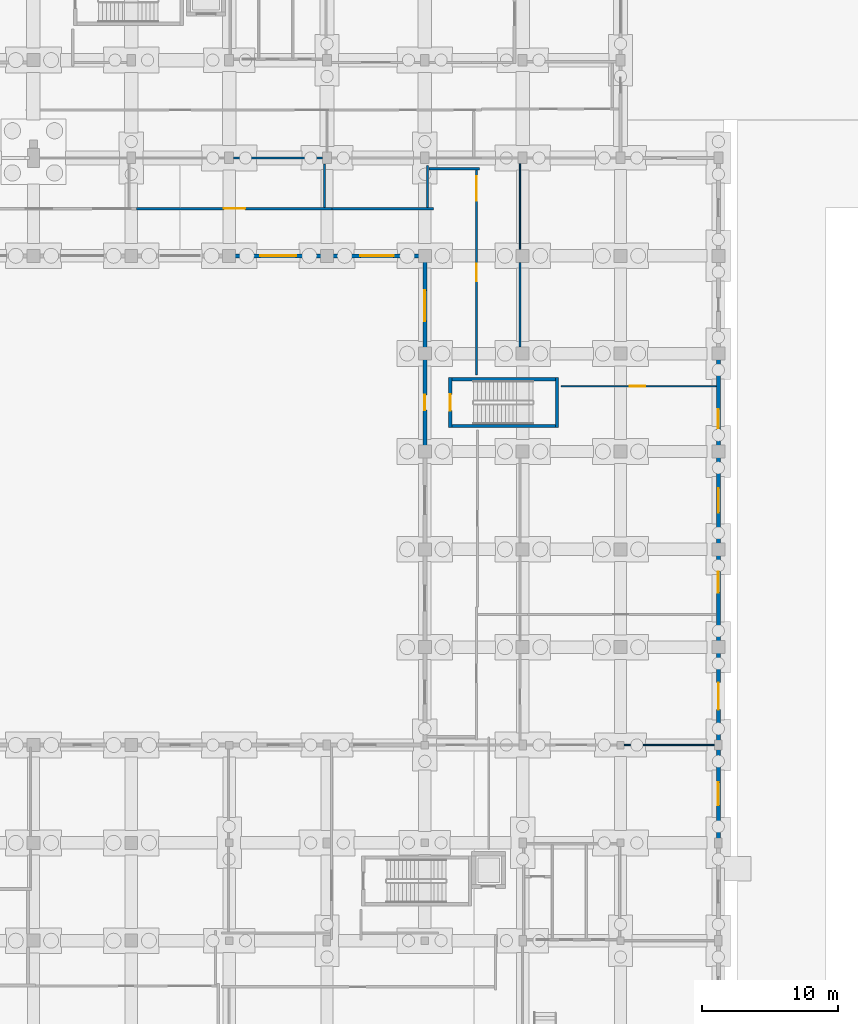
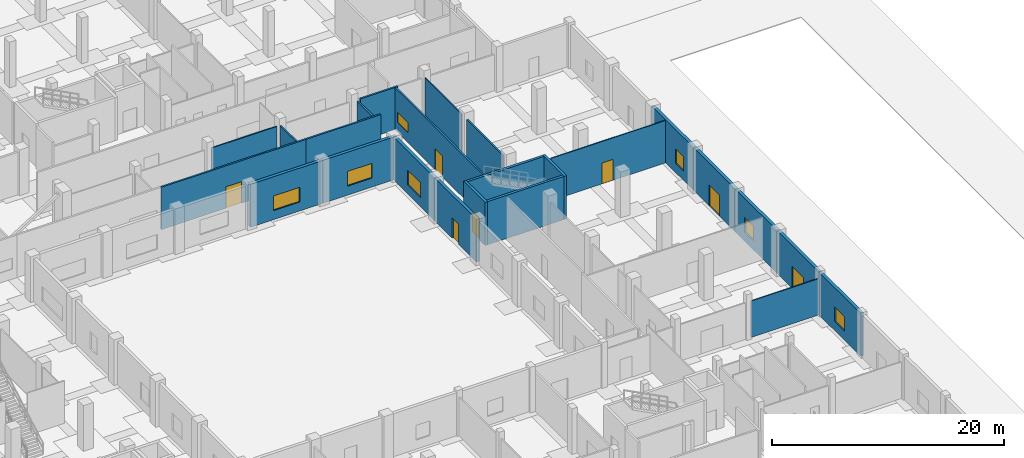
# One storey, part 33 of 48: 24 walls, 7 doors, 7 windows, 14 openings.
"""IFC4 building model written with IfcOpenShell, lengths in metres."""

from ifc_helpers import new_model, si_unit, direction, frame, frame_2d, origin, place, context, subcontext, project, spatial, rectangle, extrude, material, layer, layer_set, type_object, element, fill, save


model = new_model("IFC4")

# Units and contexts
model_context = context("Model", 3, precision=1e-05, world=origin(), true_north=direction((0.0, 1.0)))
body_context = subcontext(model_context, "Body", "Model", "MODEL_VIEW")
ifc_project = project(units=[si_unit("LENGTHUNIT", "METRE"), si_unit("AREAUNIT", "SQUARE_METRE"), si_unit("VOLUMEUNIT", "CUBIC_METRE"), si_unit("PLANEANGLEUNIT", "RADIAN"), si_unit("MASSUNIT", "GRAM", prefix="KILO")], contexts=[model_context])

# Site, building, storey
site_placement = place(None, origin())
site = spatial("IfcSite", under=ifc_project, at=site_placement, CompositionType="ELEMENT")
building_placement = place(site_placement, origin())
building = spatial("IfcBuilding", under=site, at=building_placement, Name="Seraya Terrace Polytechnic", CompositionType="ELEMENT")
storey_placement = place(building_placement, origin())
storey = spatial("IfcBuildingStorey", under=building, at=storey_placement, Name="L00", CompositionType="ELEMENT", Elevation=0.0)

# Wall, opening, window
ifc_material_1 = material(Name="Concrete C40/50", Category="concrete")
ifc_layer_1 = layer(ifc_material_1, 0.300048828125, Name="EW-01")
ifc_layer_set_1 = layer_set([ifc_layer_1], Name="Concrete C40/50")
wall_type_1 = type_object("IfcWallType", Name="EW-01", PredefinedType="SOLIDWALL", material=ifc_layer_set_1)
wall_1_placement = place(storey_placement, frame((165.60009765625, 64.800048828125, 0.0), z_axis=(0.0, 0.0, 1.0), x_axis=(0.0, -1.0, 0.0)))
wall_1 = element("IfcWall", 1, at=wall_1_placement, inside=storey, type_object=wall_type_1, Name="Exterior structural wall EW-01 L00", PredefinedType="SOLIDWALL", context=body_context, shape_type="SweptSolid", body=[
    extrude(rectangle(XDim=7.199951171875, YDim=0.300048828125, at=frame_2d((3.60009765625, 0.0))), origin(), (0.0, 0.0, 1.0), 4.52001953125),
])
opening_1_placement = place(wall_1_placement, frame((4.090087890625, 0.0, 0.949951171875)))
opening_1 = element("IfcOpeningElement", 2, at=opening_1_placement, cuts=wall_1, Name="Opening WN-15", PredefinedType="OPENING", context=body_context, shape_type="SweptSolid", body=[
    extrude(rectangle(XDim=1.39990234375, YDim=1.550048828125, at=frame_2d((0.699951171875, 0.77490234375))), frame((0.0, 0.162109375, 0.0), z_axis=(0.0, -1.0, 0.0), x_axis=(1.0, 0.0, 0.0)), (0.0, 0.0, 1.0), 0.323974609375),
])
ifc_material_2 = material(Name="Laminated solar-control Low-E double glazing", Category="glass")
window_type_1 = type_object("IfcWindowType", Name="WN-15", PartitioningType="SINGLE_PANEL", PredefinedType="WINDOW", material=ifc_material_2)
window_1_placement = place(opening_1_placement, origin())
window_1 = element("IfcWindow", 3, at=window_1_placement, inside=storey, type_object=window_type_1, Name="Exterior window WN-15 L00", OverallHeight=1.550048828125, OverallWidth=1.39990234375, PartitioningType="SINGLE_PANEL", PredefinedType="WINDOW", context=body_context, shape_type="SweptSolid", body=[
    extrude(rectangle(XDim=1.39990234375, YDim=1.550048828125, at=frame_2d((0.699951171875, 0.77490234375))), frame((0.0, 0.030029296875, 0.0), z_axis=(0.0, -1.0, 0.0), x_axis=(1.0, 0.0, 0.0)), (0.0, 0.0, 1.0), 0.06005859375),
])
fill(opening_1, window_1)

# Wall, opening, door
wall_2_placement = place(storey_placement, frame((165.60009765625, 57.60009765625, 0.0), z_axis=(0.0, 0.0, 1.0), x_axis=(0.0, -1.0, 0.0)))
wall_2 = element("IfcWall", 4, at=wall_2_placement, inside=storey, type_object=wall_type_1, Name="Exterior structural wall EW-01 L00", PredefinedType="SOLIDWALL", context=body_context, shape_type="SweptSolid", body=[
    extrude(rectangle(XDim=7.2001953125, YDim=0.300048828125, at=frame_2d((3.60009765625, 0.0))), origin(), (0.0, 0.0, 1.0), 4.52001953125),
])
opening_2_placement = place(wall_2_placement, frame((2.699951171875, 0.0, 0.0)))
opening_2 = element("IfcOpeningElement", 5, at=opening_2_placement, cuts=wall_2, Name="Opening ED-01", PredefinedType="OPENING", context=body_context, shape_type="SweptSolid", body=[
    extrude(rectangle(XDim=1.800048828125, YDim=2.199951171875, at=frame_2d((0.89990234375, 1.10009765625))), frame((0.0, 0.162109375, 0.0), z_axis=(0.0, -1.0, 0.0), x_axis=(1.0, 0.0, 0.0)), (0.0, 0.0, 1.0), 0.323974609375),
])
ifc_material_3 = material(Name="Anodised aluminium EN AW-6063 T6", Category="aluminium")
door_type_1 = type_object("IfcDoorType", Name="ED-01", OperationType="DOUBLE_DOOR_SINGLE_SWING", PredefinedType="DOOR", material=ifc_material_3)
door_1_placement = place(opening_2_placement, origin())
door_1 = element("IfcDoor", 6, at=door_1_placement, inside=storey, type_object=door_type_1, Name="Door ED-01 DR-EXIT-L00-017 in WL-EXT-L00-07-03", OperationType="DOUBLE_DOOR_SINGLE_SWING", OverallHeight=2.199951171875, OverallWidth=1.800048828125, PredefinedType="DOOR", context=body_context, shape_type="SweptSolid", body=[
    extrude(rectangle(XDim=1.800048828125, YDim=2.199951171875, at=frame_2d((0.89990234375, 1.10009765625))), frame((0.0, 0.02490234375, 0.0), z_axis=(0.0, -1.0, 0.0), x_axis=(1.0, 0.0, 0.0)), (0.0, 0.0, 1.0), 0.050048828125),
])
fill(opening_2, door_1)

# Wall, opening, window
wall_3_placement = place(storey_placement, frame((165.60009765625, 50.39990234375, 0.0), z_axis=(0.0, 0.0, 1.0), x_axis=(0.0, -1.0, 0.0)))
wall_3 = element("IfcWall", 7, at=wall_3_placement, inside=storey, type_object=wall_type_1, Name="Exterior structural wall EW-01 L00", PredefinedType="SOLIDWALL", context=body_context, shape_type="SweptSolid", body=[
    extrude(rectangle(XDim=7.199951171875, YDim=0.300048828125, at=frame_2d((3.60009765625, 0.0))), origin(), (0.0, 0.0, 1.0), 4.52001953125),
])
opening_3_placement = place(wall_3_placement, frame((1.635009765625, 0.0, 0.949951171875)))
opening_3 = element("IfcOpeningElement", 8, at=opening_3_placement, cuts=wall_3, Name="Opening WN-16", PredefinedType="OPENING", context=body_context, shape_type="SweptSolid", body=[
    extrude(rectangle(XDim=1.550048828125, YDim=1.550048828125, at=frame_2d((0.77490234375, 0.77490234375))), frame((0.0, 0.162109375, 0.0), z_axis=(0.0, -1.0, 0.0), x_axis=(1.0, 0.0, 0.0)), (0.0, 0.0, 1.0), 0.323974609375),
])
window_type_2 = type_object("IfcWindowType", Name="WN-16", PartitioningType="SINGLE_PANEL", PredefinedType="WINDOW", material=ifc_material_2)
window_2_placement = place(opening_3_placement, origin())
window_2 = element("IfcWindow", 9, at=window_2_placement, inside=storey, type_object=window_type_2, Name="Exterior window WN-16 L00", OverallHeight=1.550048828125, OverallWidth=1.550048828125, PartitioningType="SINGLE_PANEL", PredefinedType="WINDOW", context=body_context, shape_type="SweptSolid", body=[
    extrude(rectangle(XDim=1.550048828125, YDim=1.550048828125, at=frame_2d((0.77490234375, 0.77490234375))), frame((0.0, 0.030029296875, 0.0), z_axis=(0.0, -1.0, 0.0), x_axis=(1.0, 0.0, 0.0)), (0.0, 0.0, 1.0), 0.06005859375),
])
fill(opening_3, window_2)

# Wall, opening, door
wall_4_placement = place(storey_placement, frame((165.60009765625, 43.199951171875, 0.0), z_axis=(0.0, 0.0, 1.0), x_axis=(0.0, -1.0, 0.0)))
wall_4 = element("IfcWall", 10, at=wall_4_placement, inside=storey, type_object=wall_type_1, Name="Exterior structural wall EW-01 L00", PredefinedType="SOLIDWALL", context=body_context, shape_type="SweptSolid", body=[
    extrude(rectangle(XDim=7.199951171875, YDim=0.300048828125, at=frame_2d((3.60009765625, 0.0))), origin(), (0.0, 0.0, 1.0), 4.52001953125),
])
opening_4_placement = place(wall_4_placement, frame((2.60009765625, 0.0, 0.0)))
opening_4 = element("IfcOpeningElement", 11, at=opening_4_placement, cuts=wall_4, Name="Opening ED-02", PredefinedType="OPENING", context=body_context, shape_type="SweptSolid", body=[
    extrude(rectangle(XDim=2.0, YDim=2.300048828125, at=frame_2d((1.0, 1.14990234375))), frame((0.0, 0.162109375, 0.0), z_axis=(0.0, -1.0, 0.0), x_axis=(1.0, 0.0, 0.0)), (0.0, 0.0, 1.0), 0.323974609375),
])
door_type_2 = type_object("IfcDoorType", Name="ED-02", OperationType="DOUBLE_DOOR_SINGLE_SWING", PredefinedType="DOOR", material=ifc_material_3)
door_2_placement = place(opening_4_placement, origin())
door_2 = element("IfcDoor", 12, at=door_2_placement, inside=storey, type_object=door_type_2, Name="Door ED-02 DR-EXIT-L00-018 in WL-EXT-L00-07-05", OperationType="DOUBLE_DOOR_SINGLE_SWING", OverallHeight=2.300048828125, OverallWidth=2.0, PredefinedType="DOOR", context=body_context, shape_type="SweptSolid", body=[
    extrude(rectangle(XDim=2.0, YDim=2.300048828125, at=frame_2d((1.0, 1.14990234375))), frame((0.0, 0.02490234375, 0.0), z_axis=(0.0, -1.0, 0.0), x_axis=(1.0, 0.0, 0.0)), (0.0, 0.0, 1.0), 0.050048828125),
])
fill(opening_4, door_2)

# Wall, opening, window
wall_5_placement = place(storey_placement, frame((165.60009765625, 36.0, 0.0), z_axis=(0.0, 0.0, 1.0), x_axis=(0.0, -1.0, 0.0)))
wall_5 = element("IfcWall", 13, at=wall_5_placement, inside=storey, type_object=wall_type_1, Name="Exterior structural wall EW-01 L00", PredefinedType="SOLIDWALL", context=body_context, shape_type="SweptSolid", body=[
    extrude(rectangle(XDim=7.199951171875, YDim=0.300048828125, at=frame_2d((3.60009765625, 0.0))), origin(), (0.0, 0.0, 1.0), 4.52001953125),
])
opening_5_placement = place(wall_5_placement, frame((2.75, 0.0, 0.949951171875)))
opening_5 = element("IfcOpeningElement", 14, at=opening_5_placement, cuts=wall_5, Name="Opening WN-17", PredefinedType="OPENING", context=body_context, shape_type="SweptSolid", body=[
    extrude(rectangle(XDim=1.699951171875, YDim=1.550048828125, at=frame_2d((0.85009765625, 0.77490234375))), frame((0.0, 0.162109375, 0.0), z_axis=(0.0, -1.0, 0.0), x_axis=(1.0, 0.0, 0.0)), (0.0, 0.0, 1.0), 0.323974609375),
])
window_type_3 = type_object("IfcWindowType", Name="WN-17", PartitioningType="SINGLE_PANEL", PredefinedType="WINDOW", material=ifc_material_2)
window_3_placement = place(opening_5_placement, origin())
window_3 = element("IfcWindow", 15, at=window_3_placement, inside=storey, type_object=window_type_3, Name="Exterior window WN-17 L00", OverallHeight=1.550048828125, OverallWidth=1.699951171875, PartitioningType="SINGLE_PANEL", PredefinedType="WINDOW", context=body_context, shape_type="SweptSolid", body=[
    extrude(rectangle(XDim=1.699951171875, YDim=1.550048828125, at=frame_2d((0.85009765625, 0.77490234375))), frame((0.0, 0.030029296875, 0.0), z_axis=(0.0, -1.0, 0.0), x_axis=(1.0, 0.0, 0.0)), (0.0, 0.0, 1.0), 0.06005859375),
])
fill(opening_5, window_3)

# Wall, opening, door
wall_6_placement = place(storey_placement, frame((144.0, 57.60009765625, 0.0), z_axis=(0.0, 0.0, 1.0), x_axis=(0.0, 1.0, 0.0)))
wall_6 = element("IfcWall", 16, at=wall_6_placement, inside=storey, type_object=wall_type_1, Name="Exterior structural wall EW-01 L00", PredefinedType="SOLIDWALL", context=body_context, shape_type="SweptSolid", body=[
    extrude(rectangle(XDim=7.199951171875, YDim=0.300048828125, at=frame_2d((3.60009765625, 0.0))), origin(), (0.0, 0.0, 1.0), 4.52001953125),
])
opening_6_placement = place(wall_6_placement, frame((3.0400390625, 0.0, 0.0)))
opening_6 = element("IfcOpeningElement", 17, at=opening_6_placement, cuts=wall_6, Name="Opening ED-06", PredefinedType="OPENING", context=body_context, shape_type="SweptSolid", body=[
    extrude(rectangle(XDim=1.1201171875, YDim=2.14990234375, at=frame_2d((0.56005859375, 1.074951171875))), frame((0.0, 0.162109375, 0.0), z_axis=(0.0, -1.0, 0.0), x_axis=(1.0, 0.0, 0.0)), (0.0, 0.0, 1.0), 0.323974609375),
])
door_type_3 = type_object("IfcDoorType", Name="ED-06", OperationType="NOTDEFINED", PredefinedType="DOOR", material=ifc_material_3)
door_3_placement = place(opening_6_placement, origin())
door_3 = element("IfcDoor", 18, at=door_3_placement, inside=storey, type_object=door_type_3, Name="Door ED-06 DR-STEXIT-ST-11 in WL-EXT-L00-15-03", OperationType="SINGLE_SWING_RIGHT", OverallHeight=2.14990234375, OverallWidth=1.1201171875, PredefinedType="DOOR", context=body_context, shape_type="SweptSolid", body=[
    extrude(rectangle(XDim=1.1201171875, YDim=2.14990234375, at=frame_2d((0.56005859375, 1.074951171875))), frame((0.0, 0.02490234375, 0.0), z_axis=(0.0, -1.0, 0.0), x_axis=(1.0, 0.0, 0.0)), (0.0, 0.0, 1.0), 0.050048828125),
])
fill(opening_6, door_3)

# Wall, opening, window
wall_7_placement = place(storey_placement, frame((144.0, 64.800048828125, 0.0), z_axis=(0.0, 0.0, 1.0), x_axis=(0.0, 1.0, 0.0)))
wall_7 = element("IfcWall", 19, at=wall_7_placement, inside=storey, type_object=wall_type_1, Name="Exterior structural wall EW-01 L00", PredefinedType="SOLIDWALL", context=body_context, shape_type="SweptSolid", body=[
    extrude(rectangle(XDim=7.0478515625, YDim=0.300048828125, at=frame_2d((3.52392578125, 0.0))), origin(), (0.0, 0.0, 1.0), 4.52001953125),
])
opening_7_placement = place(wall_7_placement, frame((2.39892578125, 0.0, 0.949951171875)))
opening_7 = element("IfcOpeningElement", 20, at=opening_7_placement, cuts=wall_7, Name="Opening WN-20", PredefinedType="OPENING", context=body_context, shape_type="SweptSolid", body=[
    extrude(rectangle(XDim=2.25, YDim=1.550048828125, at=frame_2d((1.125, 0.77490234375))), frame((0.0, 0.162109375, 0.0), z_axis=(0.0, -1.0, 0.0), x_axis=(1.0, 0.0, 0.0)), (0.0, 0.0, 1.0), 0.323974609375),
])
window_type_4 = type_object("IfcWindowType", Name="WN-20", PartitioningType="SINGLE_PANEL", PredefinedType="WINDOW", material=ifc_material_2)
window_4_placement = place(opening_7_placement, origin())
window_4 = element("IfcWindow", 21, at=window_4_placement, inside=storey, type_object=window_type_4, Name="Exterior window WN-20 L00", OverallHeight=1.550048828125, OverallWidth=2.25, PartitioningType="SINGLE_PANEL", PredefinedType="WINDOW", context=body_context, shape_type="SweptSolid", body=[
    extrude(rectangle(XDim=2.25, YDim=1.550048828125, at=frame_2d((1.125, 0.77490234375))), frame((0.0, 0.030029296875, 0.0), z_axis=(0.0, -1.0, 0.0), x_axis=(1.0, 0.0, 0.0)), (0.0, 0.0, 1.0), 0.06005859375),
])
fill(opening_7, window_4)

wall_8_placement = place(storey_placement, frame((144.14990234375, 72.0, 0.0), z_axis=(0.0, 0.0, 1.0), x_axis=(-1.0, 0.0, 0.0)))
wall_8 = element("IfcWall", 22, at=wall_8_placement, inside=storey, type_object=wall_type_1, Name="Exterior structural wall EW-01 L00", PredefinedType="SOLIDWALL", context=body_context, shape_type="SweptSolid", body=[
    extrude(rectangle(XDim=7.349853515625, YDim=0.300048828125, at=frame_2d((3.6748046875, 0.0))), origin(), (0.0, 0.0, 1.0), 4.52001953125),
])
opening_8_placement = place(wall_8_placement, frame((2.449951171875, 0.0, 0.949951171875)))
opening_8 = element("IfcOpeningElement", 23, at=opening_8_placement, cuts=wall_8, Name="Opening WN-21", PredefinedType="OPENING", context=body_context, shape_type="SweptSolid", body=[
    extrude(rectangle(XDim=2.449951171875, YDim=1.550048828125, at=frame_2d((1.22509765625, 0.77490234375))), frame((0.0, 0.162109375, 0.0), z_axis=(0.0, -1.0, 0.0), x_axis=(1.0, 0.0, 0.0)), (0.0, 0.0, 1.0), 0.323974609375),
])
window_type_5 = type_object("IfcWindowType", Name="WN-21", PartitioningType="SINGLE_PANEL", PredefinedType="WINDOW", material=ifc_material_2)
window_5_placement = place(opening_8_placement, origin())
window_5 = element("IfcWindow", 24, at=window_5_placement, inside=storey, type_object=window_type_5, Name="Exterior window WN-21 L00", OverallHeight=1.550048828125, OverallWidth=2.449951171875, PartitioningType="SINGLE_PANEL", PredefinedType="WINDOW", context=body_context, shape_type="SweptSolid", body=[
    extrude(rectangle(XDim=2.449951171875, YDim=1.550048828125, at=frame_2d((1.22509765625, 0.77490234375))), frame((0.0, 0.030029296875, 0.0), z_axis=(0.0, -1.0, 0.0), x_axis=(1.0, 0.0, 0.0)), (0.0, 0.0, 1.0), 0.06005859375),
])
fill(opening_8, window_5)

wall_9_placement = place(storey_placement, frame((136.800048828125, 72.0, 0.0), z_axis=(0.0, 0.0, 1.0), x_axis=(-1.0, 0.0, 0.0)))
wall_9 = element("IfcWall", 25, at=wall_9_placement, inside=storey, type_object=wall_type_1, Name="Exterior structural wall EW-01 L00", PredefinedType="SOLIDWALL", context=body_context, shape_type="SweptSolid", body=[
    extrude(rectangle(XDim=7.199951171875, YDim=0.300048828125, at=frame_2d((3.60009765625, 0.0))), origin(), (0.0, 0.0, 1.0), 4.52001953125),
])
opening_9_placement = place(wall_9_placement, frame((2.27490234375, 0.0, 0.949951171875)))
opening_9 = element("IfcOpeningElement", 26, at=opening_9_placement, cuts=wall_9, Name="Opening WN-22", PredefinedType="OPENING", context=body_context, shape_type="SweptSolid", body=[
    extrude(rectangle(XDim=2.64990234375, YDim=1.550048828125, at=frame_2d((1.324951171875, 0.77490234375))), frame((0.0, 0.162109375, 0.0), z_axis=(0.0, -1.0, 0.0), x_axis=(1.0, 0.0, 0.0)), (0.0, 0.0, 1.0), 0.323974609375),
])
window_type_6 = type_object("IfcWindowType", Name="WN-22", PartitioningType="SINGLE_PANEL", PredefinedType="WINDOW", material=ifc_material_2)
window_6_placement = place(opening_9_placement, origin())
window_6 = element("IfcWindow", 27, at=window_6_placement, inside=storey, type_object=window_type_6, Name="Exterior window WN-22 L00", OverallHeight=1.550048828125, OverallWidth=2.64990234375, PartitioningType="SINGLE_PANEL", PredefinedType="WINDOW", context=body_context, shape_type="SweptSolid", body=[
    extrude(rectangle(XDim=2.64990234375, YDim=1.550048828125, at=frame_2d((1.324951171875, 0.77490234375))), frame((0.0, 0.030029296875, 0.0), z_axis=(0.0, -1.0, 0.0), x_axis=(1.0, 0.0, 0.0)), (0.0, 0.0, 1.0), 0.06005859375),
])
fill(opening_9, window_6)

# Wall, opening, door
ifc_material_4 = material(Name="Autoclaved aerated concrete blockwork", Category="masonry")
ifc_layer_2 = layer(ifc_material_4, 0.169921875, Name="PT-02")
ifc_layer_set_2 = layer_set([ifc_layer_2], Name="Autoclaved aerated concrete blockwork")
wall_type_2 = type_object("IfcWallType", Name="PT-02", PredefinedType="PARTITIONING", material=ifc_layer_set_2)
wall_10_placement = place(storey_placement, frame((122.800048828125, 75.469970703125, 0.0), z_axis=(0.0, 0.0, 1.0), x_axis=(1.0, 0.0, 0.0)))
wall_10 = element("IfcWall", 28, at=wall_10_placement, inside=storey, type_object=wall_type_2, Name="Internal partition PT-02 L00", PredefinedType="PARTITIONING", context=body_context, shape_type="SweptSolid", body=[
    extrude(rectangle(XDim=14.3798828125, YDim=0.169921875, at=frame_2d((7.18994140625, 0.0))), origin(), (0.0, 0.0, 1.0), 4.4599609375),
])
opening_10_placement = place(wall_10_placement, frame((6.409912109375, 0.0, 0.0)))
opening_10 = element("IfcOpeningElement", 29, at=opening_10_placement, cuts=wall_10, Name="Opening ID-12", PredefinedType="OPENING", context=body_context, shape_type="SweptSolid", body=[
    extrude(rectangle(XDim=1.56005859375, YDim=2.260009765625, at=frame_2d((0.780029296875, 1.1298828125))), frame((0.0, 0.096923828125, 0.0), z_axis=(0.0, -1.0, 0.0), x_axis=(1.0, 0.0, 0.0)), (0.0, 0.0, 1.0), 0.19384765625),
])
ifc_material_5 = material(Name="Malaysian dark red meranti hardwood timber D40", Category="wood")
door_type_4 = type_object("IfcDoorType", Name="ID-12", OperationType="DOUBLE_DOOR_SINGLE_SWING", PredefinedType="DOOR", material=ifc_material_5)
door_4_placement = place(opening_10_placement, frame((1.56005859375, 0.0, 0.0), z_axis=(0.0, 0.0, 1.0), x_axis=(-1.0, 0.0, 0.0)))
door_4 = element("IfcDoor", 30, at=door_4_placement, inside=storey, type_object=door_type_4, Name="Door ID-12 DR-INT-L00-0009 in WL-INT-L00-0080", OperationType="DOUBLE_DOOR_SINGLE_SWING", OverallHeight=2.260009765625, OverallWidth=1.56005859375, PredefinedType="DOOR", context=body_context, shape_type="SweptSolid", body=[
    extrude(rectangle(XDim=1.56005859375, YDim=2.260009765625, at=frame_2d((0.780029296875, 1.1298828125))), frame((0.0, 0.02490234375, 0.0), z_axis=(0.0, -1.0, 0.0), x_axis=(1.0, 0.0, 0.0)), (0.0, 0.0, 1.0), 0.050048828125),
])
fill(opening_10, door_4)

# Walls
wall_11_placement = place(storey_placement, frame((137.179931640625, 75.469970703125, 0.0), z_axis=(0.0, 0.0, 1.0), x_axis=(1.0, 0.0, 0.0)))
element("IfcWall", 31, at=wall_11_placement, inside=storey, type_object=wall_type_2, Name="Internal partition PT-02 L00", PredefinedType="PARTITIONING", context=body_context, shape_type="SweptSolid", body=[
    extrude(rectangle(XDim=7.440185546875, YDim=0.169921875, at=frame_2d((3.72021484375, 0.0))), origin(), (0.0, 0.0, 1.0), 4.4599609375),
])
wall_12_placement = place(storey_placement, frame((144.199951171875, 75.570068359375, 0.0), z_axis=(0.0, 0.0, 1.0), x_axis=(0.0, 1.0, 0.0)))
element("IfcWall", 32, at=wall_12_placement, inside=storey, type_object=wall_type_2, Name="Internal partition PT-02 L00", PredefinedType="PARTITIONING", context=body_context, shape_type="SweptSolid", body=[
    extrude(rectangle(XDim=3.06982421875, YDim=0.169921875, at=frame_2d((1.534912109375, 0.0))), origin(), (0.0, 0.0, 1.0), 4.080078125),
])
wall_13_placement = place(storey_placement, frame((144.300048828125, 78.39990234375, 0.0), z_axis=(0.0, 0.0, 1.0), x_axis=(1.0, 0.0, 0.0)))
element("IfcWall", 33, at=wall_13_placement, inside=storey, type_object=wall_type_2, Name="Internal partition PT-02 L00", PredefinedType="PARTITIONING", context=body_context, shape_type="SweptSolid", body=[
    extrude(rectangle(XDim=3.739990234375, YDim=0.169921875, at=frame_2d((1.8701171875, 0.0))), origin(), (0.0, 0.0, 1.0), 4.4599609375),
])

# Wall, openings, door, window
wall_14_placement = place(storey_placement, frame((147.800048828125, 63.22998046875, 0.0), z_axis=(0.0, 0.0, 1.0), x_axis=(0.0, 1.0, 0.0)))
wall_14 = element("IfcWall", 34, at=wall_14_placement, inside=storey, type_object=wall_type_2, Name="Internal partition PT-02 L00", PredefinedType="PARTITIONING", context=body_context, shape_type="SweptSolid", body=[
    extrude(rectangle(XDim=15.070068359375, YDim=0.169921875, at=frame_2d((7.53515625, 0.0))), origin(), (0.0, 0.0, 1.0), 4.4599609375),
])
opening_11_placement = place(wall_14_placement, frame((6.89501953125, 0.0, 0.0)))
opening_11 = element("IfcOpeningElement", 35, at=opening_11_placement, cuts=wall_14, Name="Opening ID-08", PredefinedType="OPENING", context=body_context, shape_type="SweptSolid", body=[
    extrude(rectangle(XDim=1.280029296875, YDim=2.219970703125, at=frame_2d((0.64013671875, 1.10986328125))), frame((0.0, 0.096923828125, 0.0), z_axis=(0.0, -1.0, 0.0), x_axis=(1.0, 0.0, 0.0)), (0.0, 0.0, 1.0), 0.19384765625),
])
opening_12_placement = place(wall_14_placement, frame((12.820068359375, 0.0, 1.050048828125)))
opening_12 = element("IfcOpeningElement", 36, at=opening_12_placement, cuts=wall_14, Name="Opening IW-02", PredefinedType="OPENING", context=body_context, shape_type="SweptSolid", body=[
    extrude(rectangle(XDim=1.800048828125, YDim=1.050048828125, at=frame_2d((0.89990234375, 0.52490234375))), frame((0.0, 0.096923828125, 0.0), z_axis=(0.0, -1.0, 0.0), x_axis=(1.0, 0.0, 0.0)), (0.0, 0.0, 1.0), 0.19384765625),
])
door_type_5 = type_object("IfcDoorType", Name="ID-08", OperationType="NOTDEFINED", PredefinedType="DOOR", material=ifc_material_5)
door_5_placement = place(opening_11_placement, frame((1.280029296875, 0.0, 0.0), z_axis=(0.0, 0.0, 1.0), x_axis=(-1.0, 0.0, 0.0)))
door_5 = element("IfcDoor", 37, at=door_5_placement, inside=storey, type_object=door_type_5, Name="Door ID-08 DR-INT-L00-0005 in WL-INT-L00-0120", OperationType="SINGLE_SWING_RIGHT", OverallHeight=2.219970703125, OverallWidth=1.280029296875, PredefinedType="DOOR", context=body_context, shape_type="SweptSolid", body=[
    extrude(rectangle(XDim=1.280029296875, YDim=2.219970703125, at=frame_2d((0.64013671875, 1.10986328125))), frame((0.0, 0.02490234375, 0.0), z_axis=(0.0, -1.0, 0.0), x_axis=(1.0, 0.0, 0.0)), (0.0, 0.0, 1.0), 0.050048828125),
])
fill(opening_11, door_5)
window_type_7 = type_object("IfcWindowType", Name="IW-02", PartitioningType="SINGLE_PANEL", PredefinedType="WINDOW", material=ifc_material_2)
window_7_placement = place(opening_12_placement, origin())
window_7 = element("IfcWindow", 38, at=window_7_placement, inside=storey, type_object=window_type_7, Name="Internal lab vision window IW-02 L00", OverallHeight=1.050048828125, OverallWidth=1.800048828125, PartitioningType="SINGLE_PANEL", PredefinedType="WINDOW", context=body_context, shape_type="SweptSolid", body=[
    extrude(rectangle(XDim=1.800048828125, YDim=1.050048828125, at=frame_2d((0.89990234375, 0.52490234375))), frame((0.0, 0.030029296875, 0.0), z_axis=(0.0, -1.0, 0.0), x_axis=(1.0, 0.0, 0.0)), (0.0, 0.0, 1.0), 0.06005859375),
])
fill(opening_12, window_7)

# Walls
ifc_layer_3 = layer(ifc_material_4, 0.14990234375, Name="PT-03")
ifc_layer_set_3 = layer_set([ifc_layer_3], Name="Autoclaved aerated concrete blockwork")
wall_type_3 = type_object("IfcWallType", Name="PT-03", PredefinedType="PARTITIONING", material=ifc_layer_set_3)
wall_15_placement = place(storey_placement, frame((136.6201171875, 75.570068359375, 0.0), z_axis=(0.0, 0.0, 1.0), x_axis=(0.0, 1.0, 0.0)))
element("IfcWall", 39, at=wall_15_placement, inside=storey, type_object=wall_type_3, Name="Internal partition PT-03 L00", PredefinedType="PARTITIONING", context=body_context, shape_type="SweptSolid", body=[
    extrude(rectangle(XDim=3.19482421875, YDim=0.14990234375, at=frame_2d((1.597412109375, 0.0))), origin(), (0.0, 0.0, 1.0), 4.080078125),
])
wall_16_placement = place(storey_placement, frame((151.0, 65.284912109375, 0.0), z_axis=(0.0, 0.0, 1.0), x_axis=(0.0, 1.0, 0.0)))
element("IfcWall", 40, at=wall_16_placement, inside=storey, type_object=wall_type_3, Name="Internal partition PT-03 L00", PredefinedType="PARTITIONING", context=body_context, shape_type="SweptSolid", body=[
    extrude(rectangle(XDim=6.22998046875, YDim=0.14990234375, at=frame_2d((3.114990234375, 0.0))), origin(), (0.0, 0.0, 1.0), 4.080078125),
])
ifc_layer_4 = layer(ifc_material_4, 0.1201171875, Name="PT-05")
ifc_layer_set_4 = layer_set([ifc_layer_4], Name="Autoclaved aerated concrete blockwork")
wall_type_4 = type_object("IfcWallType", Name="PT-05", PredefinedType="PARTITIONING", material=ifc_layer_set_4)
wall_17_placement = place(storey_placement, frame((129.93505859375, 79.199951171875, 0.0), z_axis=(0.0, 0.0, 1.0), x_axis=(1.0, 0.0, 0.0)))
element("IfcWall", 41, at=wall_17_placement, inside=storey, type_object=wall_type_4, Name="Internal partition PT-05 L00", PredefinedType="PARTITIONING", context=body_context, shape_type="SweptSolid", body=[
    extrude(rectangle(XDim=6.530029296875, YDim=0.1201171875, at=frame_2d((3.26513671875, 0.0))), origin(), (0.0, 0.0, 1.0), 3.800048828125),
])
ifc_layer_5 = layer(ifc_material_4, 0.10009765625, Name="PT-06")
ifc_layer_set_5 = layer_set([ifc_layer_5], Name="Autoclaved aerated concrete blockwork")
wall_type_5 = type_object("IfcWallType", Name="PT-06", PredefinedType="PARTITIONING", material=ifc_layer_set_5)
wall_18_placement = place(storey_placement, frame((158.68505859375, 36.0, 0.0), z_axis=(0.0, 0.0, 1.0), x_axis=(1.0, 0.0, 0.0)))
element("IfcWall", 42, at=wall_18_placement, inside=storey, type_object=wall_type_5, Name="Internal partition PT-06 L00", PredefinedType="PARTITIONING", context=body_context, shape_type="SweptSolid", body=[
    extrude(rectangle(XDim=6.7529296875, YDim=0.10009765625, at=frame_2d((3.37646484375, 0.0))), origin(), (0.0, 0.0, 1.0), 3.830078125),
])
wall_19_placement = place(storey_placement, frame((151.0, 72.485107421875, 0.0), z_axis=(0.0, 0.0, 1.0), x_axis=(0.0, 1.0, 0.0)))
element("IfcWall", 43, at=wall_19_placement, inside=storey, type_object=wall_type_5, Name="Internal partition PT-06 L00", PredefinedType="PARTITIONING", context=body_context, shape_type="SweptSolid", body=[
    extrude(rectangle(XDim=6.27978515625, YDim=0.10009765625, at=frame_2d((3.139892578125, 0.0))), origin(), (0.0, 0.0, 1.0), 4.080078125),
])

# Wall, opening, door
wall_20_placement = place(storey_placement, frame((154.030029296875, 62.39990234375, 0.0), z_axis=(0.0, 0.0, 1.0), x_axis=(1.0, 0.0, 0.0)))
wall_20 = element("IfcWall", 44, at=wall_20_placement, inside=storey, type_object=wall_type_5, Name="Internal partition PT-06 L00", PredefinedType="PARTITIONING", context=body_context, shape_type="SweptSolid", body=[
    extrude(rectangle(XDim=11.407958984375, YDim=0.10009765625, at=frame_2d((5.7041015625, 0.0))), origin(), (0.0, 0.0, 1.0), 4.4599609375),
])
opening_13_placement = place(wall_20_placement, frame((5.050048828125, 0.0, 0.0)))
opening_13 = element("IfcOpeningElement", 45, at=opening_13_placement, cuts=wall_20, Name="Opening ID-06", PredefinedType="OPENING", context=body_context, shape_type="SweptSolid", body=[
    extrude(rectangle(XDim=1.139892578125, YDim=2.199951171875, at=frame_2d((0.56982421875, 1.10009765625))), frame((0.0, 0.06201171875, 0.0), z_axis=(0.0, -1.0, 0.0), x_axis=(1.0, 0.0, 0.0)), (0.0, 0.0, 1.0), 0.1240234375),
])
door_type_6 = type_object("IfcDoorType", Name="ID-06", OperationType="NOTDEFINED", PredefinedType="DOOR", material=ifc_material_5)
door_6_placement = place(opening_13_placement, frame((1.139892578125, 0.0, 0.0), z_axis=(0.0, 0.0, 1.0), x_axis=(-1.0, 0.0, 0.0)))
door_6 = element("IfcDoor", 46, at=door_6_placement, inside=storey, type_object=door_type_6, Name="Door ID-06 DR-INT-L00-0067 in WL-INT-L00-0225", OperationType="SINGLE_SWING_RIGHT", OverallHeight=2.199951171875, OverallWidth=1.139892578125, PredefinedType="DOOR", context=body_context, shape_type="SweptSolid", body=[
    extrude(rectangle(XDim=1.139892578125, YDim=2.199951171875, at=frame_2d((0.56982421875, 1.10009765625))), frame((0.0, 0.02490234375, 0.0), z_axis=(0.0, -1.0, 0.0), x_axis=(1.0, 0.0, 0.0)), (0.0, 0.0, 1.0), 0.050048828125),
])
fill(opening_13, door_6)

ifc_layer_6 = layer(ifc_material_1, 0.25, Name="SW-02")
ifc_layer_set_6 = layer_set([ifc_layer_6], Name="Concrete C40/50")
wall_type_6 = type_object("IfcWallType", Name="SW-02", PredefinedType="SHEAR", material=ifc_layer_set_6)
wall_21_placement = place(storey_placement, frame((145.875, 59.35009765625, 0.0), z_axis=(0.0, 0.0, 1.0), x_axis=(0.0, 1.0, 0.0)))
wall_21 = element("IfcWall", 47, at=wall_21_placement, inside=storey, type_object=wall_type_6, Name="Stairwell ST-11 West wall L00", PredefinedType="SHEAR", context=body_context, shape_type="SweptSolid", body=[
    extrude(rectangle(XDim=3.699951171875, YDim=0.25, at=frame_2d((1.85009765625, 0.0))), origin(), (0.0, 0.0, 1.0), 4.550048828125),
])
opening_14_placement = place(wall_21_placement, frame((1.25, 0.0, 0.0)))
opening_14 = element("IfcOpeningElement", 48, at=opening_14_placement, cuts=wall_21, Name="Opening FD-01", PredefinedType="OPENING", context=body_context, shape_type="SweptSolid", body=[
    extrude(rectangle(XDim=1.199951171875, YDim=2.14990234375, at=frame_2d((0.60009765625, 1.074951171875))), frame((0.0, 0.136962890625, 0.0), z_axis=(0.0, -1.0, 0.0), x_axis=(1.0, 0.0, 0.0)), (0.0, 0.0, 1.0), 0.27392578125),
])
ifc_material_6 = material(Name="Steel S355J2", Category="steel")
door_type_7 = type_object("IfcDoorType", Name="FD-01", OperationType="NOTDEFINED", PredefinedType="DOOR", material=ifc_material_6)
door_7_placement = place(opening_14_placement, origin())
door_7 = element("IfcDoor", 49, at=door_7_placement, inside=storey, type_object=door_type_7, Name="Door FD-01 DR-STR-ST-11-L00 in WL-STR-ST-11-L00-W", OperationType="SINGLE_SWING_RIGHT", OverallHeight=2.14990234375, OverallWidth=1.199951171875, PredefinedType="DOOR", context=body_context, shape_type="SweptSolid", body=[
    extrude(rectangle(XDim=1.199951171875, YDim=2.14990234375, at=frame_2d((0.60009765625, 1.074951171875))), frame((0.0, 0.02490234375, 0.0), z_axis=(0.0, -1.0, 0.0), x_axis=(1.0, 0.0, 0.0)), (0.0, 0.0, 1.0), 0.050048828125),
])
fill(opening_14, door_7)

# Walls
wall_22_placement = place(storey_placement, frame((153.72509765625, 59.35009765625, 0.0), z_axis=(0.0, 0.0, 1.0), x_axis=(0.0, 1.0, 0.0)))
element("IfcWall", 50, at=wall_22_placement, inside=storey, type_object=wall_type_6, Name="Stairwell ST-11 East wall L00", PredefinedType="SHEAR", context=body_context, shape_type="SweptSolid", body=[
    extrude(rectangle(XDim=3.699951171875, YDim=0.25, at=frame_2d((1.85009765625, 0.0))), origin(), (0.0, 0.0, 1.0), 4.550048828125),
])
for number, where, z_axis, x_axis, name in (
    (51, (146.0, 59.47509765625, 0.0), (0.0, 0.0, 1.0), (1.0, 0.0, 0.0), "Stairwell ST-11 South wall L00"),
    (52, (146.0, 62.925048828125, 0.0), (0.0, 0.0, 1.0), (1.0, 0.0, 0.0), "Stairwell ST-11 North wall L00"),
):
    element("IfcWall", number, at=place(storey_placement, frame(where, z_axis=z_axis, x_axis=x_axis)), inside=storey, type_object=wall_type_6, Name=name, PredefinedType="SHEAR", context=body_context, shape_type="SweptSolid", body=[
        extrude(rectangle(XDim=7.60009765625, YDim=0.25, at=frame_2d((3.800048828125, 0.0))), origin(), (0.0, 0.0, 1.0), 4.550048828125),
    ])

save(model, "model.ifc")
